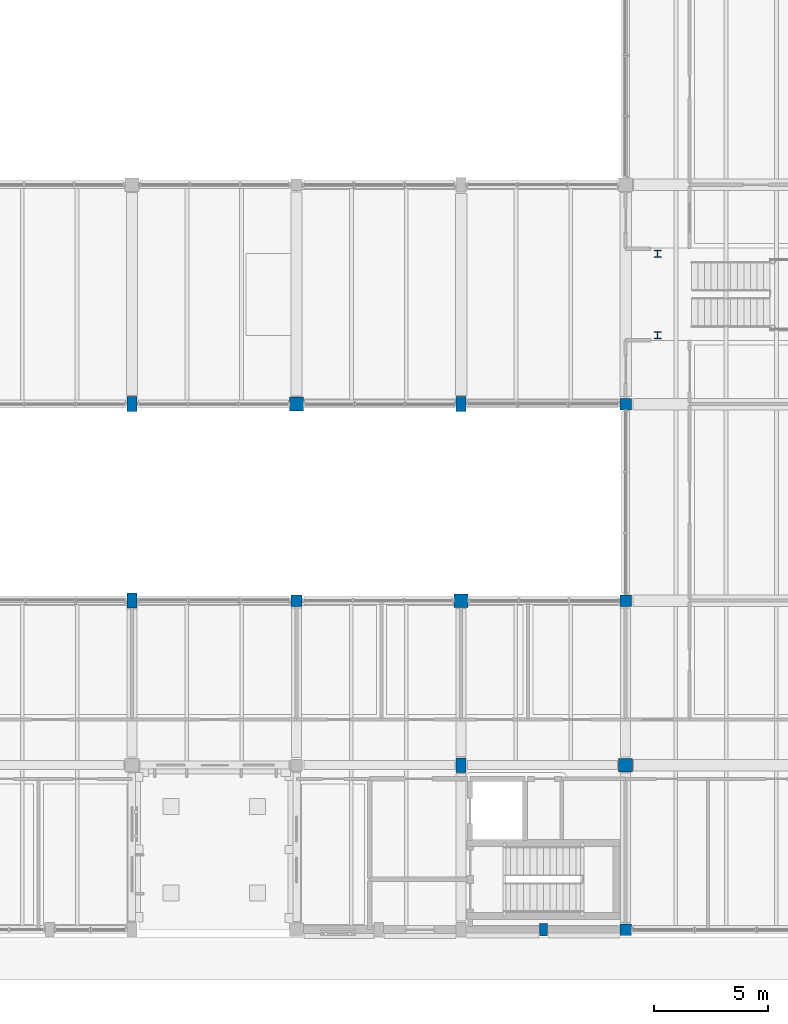
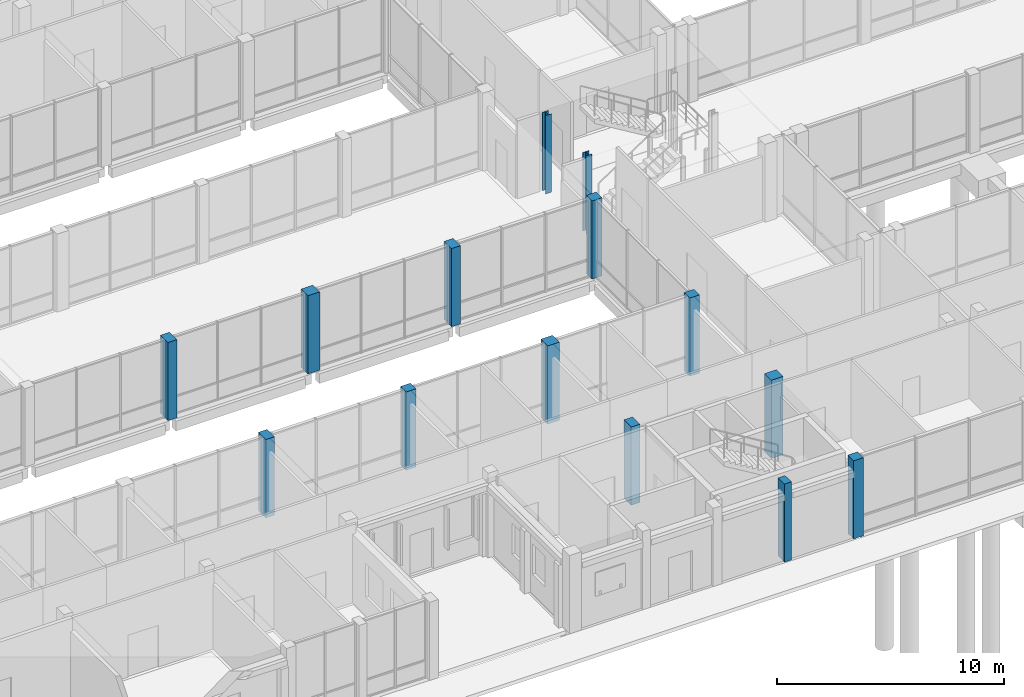
# One storey, part 6 of 104: 14 columns.
"""IFC4 building model written with IfcOpenShell, lengths in metres."""

from ifc_helpers import new_model, si_unit, direction, frame, origin, origin_2d, place, context, subcontext, project, spatial, rectangle, i_section, extrude, material, material_profile, profile_set, type_object, element, save


model = new_model("IFC4")

# Units and contexts
model_context = context("Model", 3, precision=1e-05, world=origin(), true_north=direction((0.0, 1.0)))
body_context = subcontext(model_context, "Body", "Model", "MODEL_VIEW")
ifc_project = project(units=[si_unit("LENGTHUNIT", "METRE"), si_unit("AREAUNIT", "SQUARE_METRE"), si_unit("VOLUMEUNIT", "CUBIC_METRE"), si_unit("PLANEANGLEUNIT", "RADIAN"), si_unit("MASSUNIT", "GRAM", prefix="KILO")], contexts=[model_context])

# Site, building, storey
site_placement = place(None, origin())
site = spatial("IfcSite", under=ifc_project, at=site_placement, CompositionType="ELEMENT")
building_placement = place(site_placement, origin())
building = spatial("IfcBuilding", under=site, at=building_placement, Name="Hawrajan Terrace Health Centre", CompositionType="ELEMENT")
storey_placement = place(building_placement, origin())
storey = spatial("IfcBuildingStorey", under=building, at=storey_placement, Name="L00", CompositionType="ELEMENT", Elevation=0.0)

# Columns
ifc_material_1 = material(Name="Concrete C40/50", Category="concrete")
ifc_material_profile_1 = material_profile(ifc_material_1, rectangle(XDim=0.449951171875, YDim=0.64990234375, at=origin_2d()), Name="RC 450x650")
ifc_profile_set_1 = profile_set([ifc_material_profile_1], Name="Concrete C40/50")
column_type_1 = type_object("IfcColumnType", Name="RCCol_450x650", PredefinedType="COLUMN", material=ifc_profile_set_1)
for number, where, z_axis, x_axis, name in (
    (1, (40.60009765625, 18.60009765625, 0.0), (0.0, 0.0, 1.0), (1.0, 0.0, 0.0), "Column COL-L00-W-X06-Y3"),
    (2, (40.60009765625, 27.199951171875, 0.0), (0.0, 0.0, 1.0), (1.0, 0.0, 0.0), "Column COL-L00-W-X06-Y4"),
    (3, (55.0, 11.39990234375, 0.0), (0.0, 0.0, 1.0), (1.0, 0.0, 0.0), "Column COL-L00-W-X08-Y2"),
    (4, (55.0, 27.199951171875, 0.0), (0.0, 0.0, 1.0), (1.0, 0.0, 0.0), "Column COL-L00-W-X08-Y4"),
):
    element("IfcColumn", number, at=place(storey_placement, frame(where, z_axis=z_axis, x_axis=x_axis)), inside=storey, type_object=column_type_1, Name=name, PredefinedType="COLUMN", context=body_context, shape_type="SweptSolid", body=[
        extrude(rectangle(XDim=0.449951171875, YDim=0.64990234375, at=origin_2d()), origin(), (0.0, 0.0, 1.0), 4.199951171875),
    ])
ifc_material_profile_2 = material_profile(ifc_material_1, rectangle(XDim=0.5, YDim=0.5, at=origin_2d()), Name="RC 500x500")
ifc_profile_set_2 = profile_set([ifc_material_profile_2], Name="Concrete C40/50")
column_type_2 = type_object("IfcColumnType", Name="RCCol_500x500", PredefinedType="COLUMN", material=ifc_profile_set_2)
for number, where, z_axis, x_axis, name in (
    (5, (47.800048828125, 18.60009765625, 0.0), (0.0, 0.0, 1.0), (1.0, 0.0, 0.0), "Column COL-L00-W-X07-Y3"),
    (6, (62.199951171875, 4.199951171875, 0.0), (0.0, 0.0, 1.0), (1.0, 0.0, 0.0), "Column COL-L00-W-X09-Y1"),
    (7, (62.199951171875, 18.60009765625, 0.0), (0.0, 0.0, 1.0), (1.0, 0.0, 0.0), "Column COL-L00-W-X09-Y3"),
    (8, (62.199951171875, 27.199951171875, 0.0), (0.0, 0.0, 1.0), (1.0, 0.0, 0.0), "Column COL-L00-W-X09-Y4"),
):
    element("IfcColumn", number, at=place(storey_placement, frame(where, z_axis=z_axis, x_axis=x_axis)), inside=storey, type_object=column_type_2, Name=name, PredefinedType="COLUMN", context=body_context, shape_type="SweptSolid", body=[
        extrude(rectangle(XDim=0.5, YDim=0.5, at=origin_2d()), origin(), (0.0, 0.0, 1.0), 4.199951171875),
    ])
ifc_material_profile_3 = material_profile(ifc_material_1, rectangle(XDim=0.60009765625, YDim=0.60009765625, at=origin_2d()), Name="RC 600x600")
ifc_profile_set_3 = profile_set([ifc_material_profile_3], Name="Concrete C40/50")
column_type_3 = type_object("IfcColumnType", Name="RCCol_600x600", PredefinedType="COLUMN", material=ifc_profile_set_3)
for number, where, z_axis, x_axis, name in (
    (9, (47.800048828125, 27.199951171875, 0.0), (0.0, 0.0, 1.0), (1.0, 0.0, 0.0), "Column COL-L00-W-X07-Y4"),
    (10, (55.0, 18.60009765625, 0.0), (0.0, 0.0, 1.0), (1.0, 0.0, 0.0), "Column COL-L00-W-X08-Y3"),
    (11, (62.199951171875, 11.39990234375, 0.0), (0.0, 0.0, 1.0), (1.0, 0.0, 0.0), "Column COL-L00-W-X09-Y2"),
):
    element("IfcColumn", number, at=place(storey_placement, frame(where, z_axis=z_axis, x_axis=x_axis)), inside=storey, type_object=column_type_3, Name=name, PredefinedType="COLUMN", context=body_context, shape_type="SweptSolid", body=[
        extrude(rectangle(XDim=0.60009765625, YDim=0.60009765625, at=origin_2d()), origin(), (0.0, 0.0, 1.0), 4.199951171875),
    ])
ifc_material_profile_4 = material_profile(ifc_material_1, rectangle(XDim=0.35009765625, YDim=0.550048828125, at=origin_2d()), Name="RC PIL 350x550")
ifc_profile_set_4 = profile_set([ifc_material_profile_4], Name="Concrete C40/50")
column_type_4 = type_object("IfcColumnType", Name="RCPilaster_350x550", PredefinedType="PILASTER", material=ifc_profile_set_4)
column_placement = place(storey_placement, frame((58.60009765625, 4.199951171875, 0.0), z_axis=(0.0, 0.0, 1.0), x_axis=(1.0, 0.0, 0.0)))
element("IfcColumn", 12, at=column_placement, inside=storey, type_object=column_type_4, Name="Art Deco fluted pilaster L00-08-Y1", PredefinedType="PILASTER", context=body_context, shape_type="SweptSolid", body=[
    extrude(rectangle(XDim=0.35009765625, YDim=0.550048828125, at=origin_2d()), origin(), (0.0, 0.0, 1.0), 4.199951171875),
])
ifc_material_2 = material(Name="Steel S355", Category="steel")
ifc_material_profile_5 = material_profile(ifc_material_2, i_section(OverallWidth=0.300048828125, OverallDepth=0.300048828125, WebThickness=0.010986328125, FlangeThickness=0.01904296875, FilletRadius=0.027099609375, at=origin_2d()), Name="HEB 300")
ifc_profile_set_5 = profile_set([ifc_material_profile_5], Name="Steel S355")
column_type_5 = type_object("IfcColumnType", Name="SteelCol_HEB300", PredefinedType="COLUMN", material=ifc_profile_set_5)
for number, where, z_axis, x_axis, name in (
    (13, (63.60009765625, 30.219970703125, 0.0), (0.0, 0.0, 1.0), (1.0, 0.0, 0.0), "Feature stair column L00-1"),
    (14, (63.60009765625, 33.780029296875, 0.0), (0.0, 0.0, 1.0), (1.0, 0.0, 0.0), "Feature stair column L00-4"),
):
    element("IfcColumn", number, at=place(storey_placement, frame(where, z_axis=z_axis, x_axis=x_axis)), inside=storey, type_object=column_type_5, Name=name, PredefinedType="COLUMN", context=body_context, shape_type="SweptSolid", body=[
        extrude(i_section(OverallWidth=0.300048828125, OverallDepth=0.300048828125, WebThickness=0.010986328125, FlangeThickness=0.01904296875, FilletRadius=0.027099609375, at=origin_2d()), origin(), (0.0, 0.0, 1.0), 4.199951171875),
    ])

save(model, "model.ifc")
